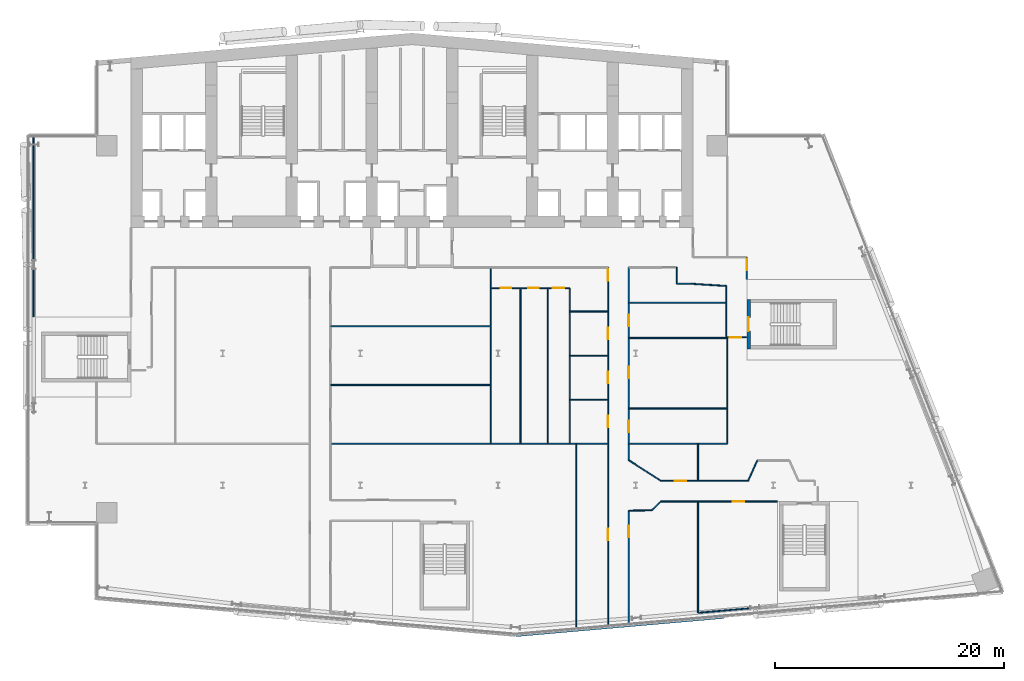
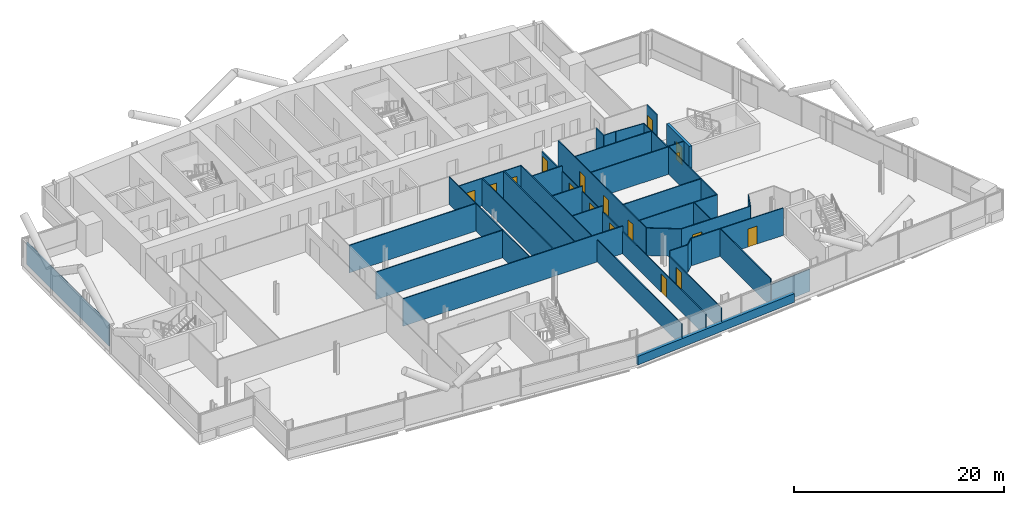
# One storey, part 15 of 27: 38 walls, 17 doors, 17 openings.
"""IFC4 building model written with IfcOpenShell, lengths in metres."""

from ifc_helpers import new_model, si_unit, direction, frame, frame_2d, origin, place, context, subcontext, project, spatial, rectangle, extrude, material, layer, layer_set, type_object, element, fill, save


model = new_model("IFC4")

# Units and contexts
model_context = context("Model", 3, precision=1e-05, world=origin(), true_north=direction((0.0, 1.0)))
body_context = subcontext(model_context, "Body", "Model", "MODEL_VIEW")
ifc_project = project(units=[si_unit("LENGTHUNIT", "METRE"), si_unit("AREAUNIT", "SQUARE_METRE"), si_unit("VOLUMEUNIT", "CUBIC_METRE"), si_unit("PLANEANGLEUNIT", "RADIAN"), si_unit("MASSUNIT", "GRAM", prefix="KILO")], contexts=[model_context])

# Site, building, storey
site_placement = place(None, origin())
site = spatial("IfcSite", under=ifc_project, at=site_placement, CompositionType="ELEMENT")
building_placement = place(site_placement, origin())
building = spatial("IfcBuilding", under=site, at=building_placement, Name="Wharfspan Tower", CompositionType="ELEMENT")
storey_placement = place(building_placement, frame((0.0, 0.0, 118.300049)))
storey = spatial("IfcBuildingStorey", under=building, at=storey_placement, Name="L27", CompositionType="ELEMENT", Elevation=118.300049)

# Walls
ifc_material_1 = material(Name="Gypsum board on steel studs", Category="steel")
ifc_layer_1 = layer(ifc_material_1, 0.100098)
ifc_layer_set_1 = layer_set([ifc_layer_1], Name="Gypsum board on steel studs")
wall_type_1 = type_object("IfcWallType", Name="Compartment wall 100 EI 60", PredefinedType="PARTITIONING", material=ifc_layer_set_1)
wall_1_placement = place(storey_placement, frame((33.399902, 15.129883, 0.0), z_axis=(0.0, 0.0, 1.0), x_axis=(1.0, 0.0, 0.0)))
element("IfcWall", 1, at=wall_1_placement, inside=storey, type_object=wall_type_1, Name="Partition L27.w017", PredefinedType="PARTITIONING", context=body_context, shape_type="SweptSolid", body=[
    extrude(rectangle(XDim=24.200195, YDim=0.100098, at=frame_2d((12.100098, 0.0))), origin(), (0.0, 0.0, 1.0), 3.199951),
])
for number, where, z_axis, x_axis, name in (
    (2, (33.399902, 20.254883, 0.0), (0.0, 0.0, 1.0), (1.0, 0.0, 0.0), "Partition L27.w018"),
    (3, (33.399902, 25.375, 0.0), (0.0, 0.0, 1.0), (1.0, 0.0, 0.0), "Partition L27.w019"),
):
    element("IfcWall", number, at=place(storey_placement, frame(where, z_axis=z_axis, x_axis=x_axis)), inside=storey, type_object=wall_type_1, Name=name, PredefinedType="PARTITIONING", context=body_context, shape_type="SweptSolid", body=[
        extrude(rectangle(XDim=13.975098, YDim=0.100098, at=frame_2d((6.987549, 0.0))), origin(), (0.0, 0.0, 1.0), 3.199951),
    ])
wall_2_placement = place(storey_placement, frame((47.375, 15.129883, 0.0), z_axis=(0.0, 0.0, 1.0), x_axis=(0.0, 1.0, 0.0)))
element("IfcWall", 4, at=wall_2_placement, inside=storey, type_object=wall_type_1, Name="Partition L27.w024", PredefinedType="PARTITIONING", context=body_context, shape_type="SweptSolid", body=[
    extrude(rectangle(XDim=15.360107, YDim=0.100098, at=frame_2d((7.680176, 0.0))), origin(), (0.0, 0.0, 1.0), 3.199951),
])
for number, where, z_axis, x_axis, name in (
    (5, (54.25, 18.975098, 0.0), (0.0, 0.0, 1.0), (1.0, 0.0, 0.0), "Partition L27.w029"),
    (6, (54.25, 22.814941, 0.0), (0.0, 0.0, 1.0), (1.0, 0.0, 0.0), "Partition L27.w030"),
    (7, (54.25, 26.659912, 0.0), (0.0, 0.0, 1.0), (1.0, 0.0, 0.0), "Partition L27.w031"),
):
    element("IfcWall", number, at=place(storey_placement, frame(where, z_axis=z_axis, x_axis=x_axis)), inside=storey, type_object=wall_type_1, Name=name, PredefinedType="PARTITIONING", context=body_context, shape_type="SweptSolid", body=[
        extrude(rectangle(XDim=3.350098, YDim=0.100098, at=frame_2d((1.675049, 0.0))), origin(), (0.0, 0.0, 1.0), 3.199951),
    ])

# Wall, openings, doors
wall_3_placement = place(storey_placement, frame((57.600098, -0.789551, 0.0), z_axis=(0.0, 0.0, 1.0), x_axis=(0.0, 1.0, 0.0)))
wall_3 = element("IfcWall", 8, at=wall_3_placement, inside=storey, type_object=wall_type_1, Name="Partition L27.w033", PredefinedType="PARTITIONING", context=body_context, shape_type="SweptSolid", body=[
    extrude(rectangle(XDim=31.289551, YDim=0.100098, at=frame_2d((15.644775, 0.0))), origin(), (0.0, 0.0, 1.0), 2.579834),
])
opening_1_placement = place(wall_3_placement, frame((7.499512, 0.0, 0.0)))
opening_1 = element("IfcOpeningElement", 9, at=opening_1_placement, cuts=wall_3, Name="Opening B3-02", PredefinedType="OPENING", context=body_context, shape_type="SweptSolid", body=[
    extrude(rectangle(XDim=1.0, YDim=2.100098, at=frame_2d((0.5, 1.050049))), frame((0.0, 0.060059, 0.0), z_axis=(0.0, -1.0, 0.0), x_axis=(1.0, 0.0, 0.0)), (0.0, 0.0, 1.0), 0.120117),
])
opening_2_placement = place(wall_3_placement, frame((17.344482, 0.0, 0.0)))
opening_2 = element("IfcOpeningElement", 10, at=opening_2_placement, cuts=wall_3, Name="Opening B3-09", PredefinedType="OPENING", context=body_context, shape_type="SweptSolid", body=[
    extrude(rectangle(XDim=1.0, YDim=2.100098, at=frame_2d((0.5, 1.050049))), frame((0.0, 0.060059, 0.0), z_axis=(0.0, -1.0, 0.0), x_axis=(1.0, 0.0, 0.0)), (0.0, 0.0, 1.0), 0.120117),
])
opening_3_placement = place(wall_3_placement, frame((21.18457, 0.0, 0.0)))
opening_3 = element("IfcOpeningElement", 11, at=opening_3_placement, cuts=wall_3, Name="Opening B3-11", PredefinedType="OPENING", context=body_context, shape_type="SweptSolid", body=[
    extrude(rectangle(XDim=1.0, YDim=2.100098, at=frame_2d((0.5, 1.050049))), frame((0.0, 0.060059, 0.0), z_axis=(0.0, -1.0, 0.0), x_axis=(1.0, 0.0, 0.0)), (0.0, 0.0, 1.0), 0.120117),
])
opening_4_placement = place(wall_3_placement, frame((25.029541, 0.0, 0.0)))
opening_4 = element("IfcOpeningElement", 12, at=opening_4_placement, cuts=wall_3, Name="Opening B3-15", PredefinedType="OPENING", context=body_context, shape_type="SweptSolid", body=[
    extrude(rectangle(XDim=1.0, YDim=2.100098, at=frame_2d((0.5, 1.050049))), frame((0.0, 0.060059, 0.0), z_axis=(0.0, -1.0, 0.0), x_axis=(1.0, 0.0, 0.0)), (0.0, 0.0, 1.0), 0.120117),
])
opening_5_placement = place(wall_3_placement, frame((30.139404, 0.0, 0.0)))
opening_5 = element("IfcOpeningElement", 13, at=opening_5_placement, cuts=wall_3, Name="Opening B3-24", PredefinedType="OPENING", context=body_context, shape_type="SweptSolid", body=[
    extrude(rectangle(XDim=1.0, YDim=2.100098, at=frame_2d((0.5, 1.050049))), frame((0.0, 0.060059, 0.0), z_axis=(0.0, -1.0, 0.0), x_axis=(1.0, 0.0, 0.0)), (0.0, 0.0, 1.0), 0.120117),
])
ifc_material_2 = material(Name="Fire-rated timber door leaf in steel frame", Category="steel")
door_type_1 = type_object("IfcDoorType", Name="Door 1000 FD30S Left", OperationType="SINGLE_SWING_LEFT", PredefinedType="DOOR", material=ifc_material_2)
door_1_placement = place(opening_1_placement, origin())
door_1 = element("IfcDoor", 14, at=door_1_placement, inside=storey, type_object=door_type_1, Name="Door B3-02", OperationType="SINGLE_SWING_LEFT", OverallHeight=2.100098, OverallWidth=1.0, PredefinedType="DOOR", context=body_context, shape_type="SweptSolid", body=[
    extrude(rectangle(XDim=1.0, YDim=2.100098, at=frame_2d((0.5, 1.050049))), frame((0.0, 0.024902, 0.0), z_axis=(0.0, -1.0, 0.0), x_axis=(1.0, 0.0, 0.0)), (0.0, 0.0, 1.0), 0.050049),
])
fill(opening_1, door_1)
door_type_2 = type_object("IfcDoorType", Name="Door 1000 FD30S Right", OperationType="SINGLE_SWING_RIGHT", PredefinedType="DOOR", material=ifc_material_2)
door_2_placement = place(opening_2_placement, origin())
door_2 = element("IfcDoor", 15, at=door_2_placement, inside=storey, type_object=door_type_2, Name="Door B3-09", OperationType="SINGLE_SWING_RIGHT", OverallHeight=2.100098, OverallWidth=1.0, PredefinedType="DOOR", context=body_context, shape_type="SweptSolid", body=[
    extrude(rectangle(XDim=1.0, YDim=2.100098, at=frame_2d((0.5, 1.050049))), frame((0.0, 0.024902, 0.0), z_axis=(0.0, -1.0, 0.0), x_axis=(1.0, 0.0, 0.0)), (0.0, 0.0, 1.0), 0.050049),
])
fill(opening_2, door_2)
door_3_placement = place(opening_3_placement, origin())
door_3 = element("IfcDoor", 16, at=door_3_placement, inside=storey, type_object=door_type_2, Name="Door B3-11", OperationType="SINGLE_SWING_RIGHT", OverallHeight=2.100098, OverallWidth=1.0, PredefinedType="DOOR", context=body_context, shape_type="SweptSolid", body=[
    extrude(rectangle(XDim=1.0, YDim=2.100098, at=frame_2d((0.5, 1.050049))), frame((0.0, 0.024902, 0.0), z_axis=(0.0, -1.0, 0.0), x_axis=(1.0, 0.0, 0.0)), (0.0, 0.0, 1.0), 0.050049),
])
fill(opening_3, door_3)
door_4_placement = place(opening_4_placement, origin())
door_4 = element("IfcDoor", 17, at=door_4_placement, inside=storey, type_object=door_type_2, Name="Door B3-15", OperationType="SINGLE_SWING_RIGHT", OverallHeight=2.100098, OverallWidth=1.0, PredefinedType="DOOR", context=body_context, shape_type="SweptSolid", body=[
    extrude(rectangle(XDim=1.0, YDim=2.100098, at=frame_2d((0.5, 1.050049))), frame((0.0, 0.024902, 0.0), z_axis=(0.0, -1.0, 0.0), x_axis=(1.0, 0.0, 0.0)), (0.0, 0.0, 1.0), 0.050049),
])
fill(opening_4, door_4)
door_5_placement = place(opening_5_placement, origin())
door_5 = element("IfcDoor", 18, at=door_5_placement, inside=storey, type_object=door_type_2, Name="Door B3-24", OperationType="SINGLE_SWING_RIGHT", OverallHeight=2.100098, OverallWidth=1.0, PredefinedType="DOOR", context=body_context, shape_type="SweptSolid", body=[
    extrude(rectangle(XDim=1.0, YDim=2.100098, at=frame_2d((0.5, 1.050049))), frame((0.0, 0.024902, 0.0), z_axis=(0.0, -1.0, 0.0), x_axis=(1.0, 0.0, 0.0)), (0.0, 0.0, 1.0), 0.050049),
])
fill(opening_5, door_5)

# Wall, opening, door
wall_4_placement = place(storey_placement, frame((59.399902, -0.63208, 0.0), z_axis=(0.0, 0.0, 1.0), x_axis=(0.0, 1.0, 0.0)))
wall_4 = element("IfcWall", 19, at=wall_4_placement, inside=storey, type_object=wall_type_1, Name="Partition L27.w034", PredefinedType="PARTITIONING", context=body_context, shape_type="SweptSolid", body=[
    extrude(rectangle(XDim=9.932129, YDim=0.100098, at=frame_2d((4.966064, 0.0))), origin(), (0.0, 0.0, 1.0), 2.579834),
])
opening_6_placement = place(wall_4_placement, frame((7.601807, 0.0, 0.0)))
opening_6 = element("IfcOpeningElement", 20, at=opening_6_placement, cuts=wall_4, Name="Opening B3-03", PredefinedType="OPENING", context=body_context, shape_type="SweptSolid", body=[
    extrude(rectangle(XDim=1.0, YDim=2.100098, at=frame_2d((0.5, 1.050049))), frame((0.0, 0.060059, 0.0), z_axis=(0.0, -1.0, 0.0), x_axis=(1.0, 0.0, 0.0)), (0.0, 0.0, 1.0), 0.120117),
])
door_6_placement = place(opening_6_placement, origin())
door_6 = element("IfcDoor", 21, at=door_6_placement, inside=storey, type_object=door_type_2, Name="Door B3-03", OperationType="SINGLE_SWING_RIGHT", OverallHeight=2.100098, OverallWidth=1.0, PredefinedType="DOOR", context=body_context, shape_type="SweptSolid", body=[
    extrude(rectangle(XDim=1.0, YDim=2.100098, at=frame_2d((0.5, 1.050049))), frame((0.0, 0.024902, 0.0), z_axis=(0.0, -1.0, 0.0), x_axis=(1.0, 0.0, 0.0)), (0.0, 0.0, 1.0), 0.050049),
])
fill(opening_6, door_6)

# Wall
wall_5_placement = place(storey_placement, frame((59.399902, 9.300049, 0.0), z_axis=(0.0, 0.0, 1.0), x_axis=(0.999918, 0.01245, 0.0)))
element("IfcWall", 22, at=wall_5_placement, inside=storey, type_object=wall_type_1, Name="Partition L27.w035", PredefinedType="PARTITIONING", context=body_context, shape_type="SweptSolid", body=[
    extrude(rectangle(XDim=2.000244, YDim=0.100098, at=frame_2d((1.0, 0.0))), origin(), (0.0, 0.0, 1.0), 3.199951),
])

# Wall, openings, doors
wall_6_placement = place(storey_placement, frame((59.399902, 13.699951, 0.0), z_axis=(0.0, 0.0, 1.0), x_axis=(0.0, 1.0, 0.0)))
wall_6 = element("IfcWall", 23, at=wall_6_placement, inside=storey, type_object=wall_type_1, Name="Partition L27.w036", PredefinedType="PARTITIONING", context=body_context, shape_type="SweptSolid", body=[
    extrude(rectangle(XDim=16.800049, YDim=0.100098, at=frame_2d((8.399902, 0.0))), origin(), (0.0, 0.0, 1.0), 3.199951),
])
opening_7_placement = place(wall_6_placement, frame((2.449951, 0.0, 0.0)))
opening_7 = element("IfcOpeningElement", 24, at=opening_7_placement, cuts=wall_6, Name="Opening B3-08", PredefinedType="OPENING", context=body_context, shape_type="SweptSolid", body=[
    extrude(rectangle(XDim=1.0, YDim=2.100098, at=frame_2d((0.5, 1.050049))), frame((0.0, 0.060059, 0.0), z_axis=(0.0, -1.0, 0.0), x_axis=(1.0, 0.0, 0.0)), (0.0, 0.0, 1.0), 0.120117),
])
opening_8_placement = place(wall_6_placement, frame((7.125, 0.0, 0.0)))
opening_8 = element("IfcOpeningElement", 25, at=opening_8_placement, cuts=wall_6, Name="Opening B3-12", PredefinedType="OPENING", context=body_context, shape_type="SweptSolid", body=[
    extrude(rectangle(XDim=1.0, YDim=2.100098, at=frame_2d((0.5, 1.050049))), frame((0.0, 0.060059, 0.0), z_axis=(0.0, -1.0, 0.0), x_axis=(1.0, 0.0, 0.0)), (0.0, 0.0, 1.0), 0.120117),
])
opening_9_placement = place(wall_6_placement, frame((11.675049, 0.0, 0.0)))
opening_9 = element("IfcOpeningElement", 26, at=opening_9_placement, cuts=wall_6, Name="Opening B3-16", PredefinedType="OPENING", context=body_context, shape_type="SweptSolid", body=[
    extrude(rectangle(XDim=1.0, YDim=2.100098, at=frame_2d((0.5, 1.050049))), frame((0.0, 0.060059, 0.0), z_axis=(0.0, -1.0, 0.0), x_axis=(1.0, 0.0, 0.0)), (0.0, 0.0, 1.0), 0.120117),
])
door_7_placement = place(opening_7_placement, origin())
door_7 = element("IfcDoor", 27, at=door_7_placement, inside=storey, type_object=door_type_1, Name="Door B3-08", OperationType="SINGLE_SWING_LEFT", OverallHeight=2.100098, OverallWidth=1.0, PredefinedType="DOOR", context=body_context, shape_type="SweptSolid", body=[
    extrude(rectangle(XDim=1.0, YDim=2.100098, at=frame_2d((0.5, 1.050049))), frame((0.0, 0.024902, 0.0), z_axis=(0.0, -1.0, 0.0), x_axis=(1.0, 0.0, 0.0)), (0.0, 0.0, 1.0), 0.050049),
])
fill(opening_7, door_7)
door_8_placement = place(opening_8_placement, origin())
door_8 = element("IfcDoor", 28, at=door_8_placement, inside=storey, type_object=door_type_1, Name="Door B3-12", OperationType="SINGLE_SWING_LEFT", OverallHeight=2.100098, OverallWidth=1.0, PredefinedType="DOOR", context=body_context, shape_type="SweptSolid", body=[
    extrude(rectangle(XDim=1.0, YDim=2.100098, at=frame_2d((0.5, 1.050049))), frame((0.0, 0.024902, 0.0), z_axis=(0.0, -1.0, 0.0), x_axis=(1.0, 0.0, 0.0)), (0.0, 0.0, 1.0), 0.050049),
])
fill(opening_8, door_8)
door_9_placement = place(opening_9_placement, origin())
door_9 = element("IfcDoor", 29, at=door_9_placement, inside=storey, type_object=door_type_2, Name="Door B3-16", OperationType="SINGLE_SWING_RIGHT", OverallHeight=2.100098, OverallWidth=1.0, PredefinedType="DOOR", context=body_context, shape_type="SweptSolid", body=[
    extrude(rectangle(XDim=1.0, YDim=2.100098, at=frame_2d((0.5, 1.050049))), frame((0.0, 0.024902, 0.0), z_axis=(0.0, -1.0, 0.0), x_axis=(1.0, 0.0, 0.0)), (0.0, 0.0, 1.0), 0.050049),
])
fill(opening_9, door_9)

# Walls
for number, where, z_axis, x_axis, name in (
    (30, (59.399902, 15.129883, 0.0), (0.0, 0.0, 1.0), (1.0, 0.0, 0.0), "Partition L27.w037"),
    (31, (59.399902, 18.205078, 0.0), (0.0, 0.0, 1.0), (1.0, 0.0, 0.0), "Partition L27.w038"),
    (32, (59.399902, 24.35498, 0.0), (0.0, 0.0, 1.0), (1.0, 0.0, 0.0), "Partition L27.w039"),
):
    element("IfcWall", number, at=place(storey_placement, frame(where, z_axis=z_axis, x_axis=x_axis)), inside=storey, type_object=wall_type_1, Name=name, PredefinedType="PARTITIONING", context=body_context, shape_type="SweptSolid", body=[
        extrude(rectangle(XDim=8.600098, YDim=0.100098, at=frame_2d((4.300049, 0.0))), origin(), (0.0, 0.0, 1.0), 3.199951),
    ])
wall_7_placement = place(storey_placement, frame((59.399902, 27.425049, 0.0), z_axis=(0.0, 0.0, 1.0), x_axis=(1.0, 0.0, 0.0)))
element("IfcWall", 33, at=wall_7_placement, inside=storey, type_object=wall_type_1, Name="Partition L27.w040", PredefinedType="PARTITIONING", context=body_context, shape_type="SweptSolid", body=[
    extrude(rectangle(XDim=8.48999, YDim=0.100098, at=frame_2d((4.245117, 0.0))), origin(), (0.0, 0.0, 1.0), 3.199951),
])
wall_8_placement = place(storey_placement, frame((61.399902, 9.324951, 0.0), z_axis=(0.0, 0.0, 1.0), x_axis=(0.720495, 0.693452, 0.0)))
element("IfcWall", 34, at=wall_8_placement, inside=storey, type_object=wall_type_1, Name="Partition L27.w042", PredefinedType="PARTITIONING", context=body_context, shape_type="SweptSolid", body=[
    extrude(rectangle(XDim=1.110352, YDim=0.100098, at=frame_2d((0.555176, 0.0))), origin(), (0.0, 0.0, 1.0), 3.199951),
])

# Wall, opening, door
wall_9_placement = place(storey_placement, frame((62.199951, 10.094971, 0.0), z_axis=(0.0, 0.0, 1.0), x_axis=(1.0, 0.0, 0.0)))
wall_9 = element("IfcWall", 35, at=wall_9_placement, inside=storey, type_object=wall_type_1, Name="Partition L27.w043", PredefinedType="PARTITIONING", context=body_context, shape_type="SweptSolid", body=[
    extrude(rectangle(XDim=10.145996, YDim=0.100098, at=frame_2d((5.072998, 0.0))), origin(), (0.0, 0.0, 1.0), 3.199951),
])
opening_10_placement = place(wall_9_placement, frame((6.26001, 0.0, 0.0)))
opening_10 = element("IfcOpeningElement", 36, at=opening_10_placement, cuts=wall_9, Name="Opening B3-05", PredefinedType="OPENING", context=body_context, shape_type="SweptSolid", body=[
    extrude(rectangle(XDim=1.0, YDim=2.100098, at=frame_2d((0.5, 1.050049))), frame((0.0, 0.060059, 0.0), z_axis=(0.0, -1.0, 0.0), x_axis=(1.0, 0.0, 0.0)), (0.0, 0.0, 1.0), 0.120117),
])
door_10_placement = place(opening_10_placement, origin())
door_10 = element("IfcDoor", 37, at=door_10_placement, inside=storey, type_object=door_type_2, Name="Door B3-05", OperationType="SINGLE_SWING_RIGHT", OverallHeight=2.100098, OverallWidth=1.0, PredefinedType="DOOR", context=body_context, shape_type="SweptSolid", body=[
    extrude(rectangle(XDim=1.0, YDim=2.100098, at=frame_2d((0.5, 1.050049))), frame((0.0, 0.024902, 0.0), z_axis=(0.0, -1.0, 0.0), x_axis=(1.0, 0.0, 0.0)), (0.0, 0.0, 1.0), 0.050049),
])
fill(opening_10, door_10)

wall_10_placement = place(storey_placement, frame((62.199951, 11.89502, 0.0), z_axis=(0.0, 0.0, 1.0), x_axis=(1.0, 0.0, 0.0)))
wall_10 = element("IfcWall", 38, at=wall_10_placement, inside=storey, type_object=wall_type_1, Name="Partition L27.w044", PredefinedType="PARTITIONING", context=body_context, shape_type="SweptSolid", body=[
    extrude(rectangle(XDim=7.600098, YDim=0.100098, at=frame_2d((3.800049, 0.0))), origin(), (0.0, 0.0, 1.0), 3.199951),
])
opening_11_placement = place(wall_10_placement, frame((1.219971, 0.0, 0.0)))
opening_11 = element("IfcOpeningElement", 39, at=opening_11_placement, cuts=wall_10, Name="Opening B3-07", PredefinedType="OPENING", context=body_context, shape_type="SweptSolid", body=[
    extrude(rectangle(XDim=1.0, YDim=2.100098, at=frame_2d((0.5, 1.050049))), frame((0.0, 0.060059, 0.0), z_axis=(0.0, -1.0, 0.0), x_axis=(1.0, 0.0, 0.0)), (0.0, 0.0, 1.0), 0.120117),
])
door_11_placement = place(opening_11_placement, origin())
door_11 = element("IfcDoor", 40, at=door_11_placement, inside=storey, type_object=door_type_1, Name="Door B3-07", OperationType="SINGLE_SWING_LEFT", OverallHeight=2.100098, OverallWidth=1.0, PredefinedType="DOOR", context=body_context, shape_type="SweptSolid", body=[
    extrude(rectangle(XDim=1.0, YDim=2.100098, at=frame_2d((0.5, 1.050049))), frame((0.0, 0.024902, 0.0), z_axis=(0.0, -1.0, 0.0), x_axis=(1.0, 0.0, 0.0)), (0.0, 0.0, 1.0), 0.050049),
])
fill(opening_11, door_11)

# Walls
wall_11_placement = place(storey_placement, frame((62.199951, 11.89502, 0.0), z_axis=(0.0, 0.0, 1.0), x_axis=(-0.840512, 0.5418, 0.0)))
element("IfcWall", 41, at=wall_11_placement, inside=storey, type_object=wall_type_1, Name="Partition L27.w045", PredefinedType="PARTITIONING", context=body_context, shape_type="SweptSolid", body=[
    extrude(rectangle(XDim=3.331299, YDim=0.100098, at=frame_2d((1.665527, 0.0))), origin(), (0.0, 0.0, 1.0), 3.199951),
])
wall_12_placement = place(storey_placement, frame((63.574951, 29.074951, 0.0), z_axis=(0.0, 0.0, 1.0), x_axis=(0.0, 1.0, 0.0)))
element("IfcWall", 42, at=wall_12_placement, inside=storey, type_object=wall_type_1, Name="Partition L27.w046", PredefinedType="PARTITIONING", context=body_context, shape_type="SweptSolid", body=[
    extrude(rectangle(XDim=1.425049, YDim=0.100098, at=frame_2d((0.712402, 0.0))), origin(), (0.0, 0.0, 1.0), 3.199951),
])
wall_13_placement = place(storey_placement, frame((63.574951, 29.074951, 0.0), z_axis=(0.0, 0.0, 1.0), x_axis=(1.0, 0.0, 0.0)))
element("IfcWall", 43, at=wall_13_placement, inside=storey, type_object=wall_type_1, Name="Partition L27.w047", PredefinedType="PARTITIONING", context=body_context, shape_type="SweptSolid", body=[
    extrude(rectangle(XDim=1.285156, YDim=0.100098, at=frame_2d((0.642578, 0.0))), origin(), (0.0, 0.0, 1.0), 3.199951),
])
wall_14_placement = place(storey_placement, frame((65.439941, 0.389893, 0.0), z_axis=(0.0, 0.0, 1.0), x_axis=(0.0, 1.0, 0.0)))
element("IfcWall", 44, at=wall_14_placement, inside=storey, type_object=wall_type_1, Name="Partition L27.w051", PredefinedType="PARTITIONING", context=body_context, shape_type="SweptSolid", body=[
    extrude(rectangle(XDim=9.705078, YDim=0.100098, at=frame_2d((4.852539, 0.0))), origin(), (0.0, 0.0, 1.0), 3.199951),
])
wall_15_placement = place(storey_placement, frame((65.439941, 11.89502, 0.0), z_axis=(0.0, 0.0, 1.0), x_axis=(0.0, 1.0, 0.0)))
element("IfcWall", 45, at=wall_15_placement, inside=storey, type_object=wall_type_1, Name="Partition L27.w052", PredefinedType="PARTITIONING", context=body_context, shape_type="SweptSolid", body=[
    extrude(rectangle(XDim=3.234863, YDim=0.100098, at=frame_2d((1.617432, 0.0))), origin(), (0.0, 0.0, 1.0), 3.199951),
])
wall_16_placement = place(storey_placement, frame((67.889893, 24.399902, 0.0), z_axis=(0.0, 0.0, 1.0), x_axis=(0.0, 1.0, 0.0)))
element("IfcWall", 46, at=wall_16_placement, inside=storey, type_object=wall_type_1, Name="Partition L27.w053", PredefinedType="PARTITIONING", context=body_context, shape_type="SweptSolid", body=[
    extrude(rectangle(XDim=4.485107, YDim=0.100098, at=frame_2d((2.242676, 0.0))), origin(), (0.0, 0.0, 1.0), 3.199951),
])

# Wall, opening, door
wall_17_placement = place(storey_placement, frame((68.0, 24.399902, 0.0), z_axis=(0.0, 0.0, 1.0), x_axis=(1.0, 0.0, 0.0)))
wall_17 = element("IfcWall", 47, at=wall_17_placement, inside=storey, type_object=wall_type_1, Name="Partition L27.w054", PredefinedType="PARTITIONING", context=body_context, shape_type="SweptSolid", body=[
    extrude(rectangle(XDim=1.67041, YDim=0.100098, at=frame_2d((0.835205, 0.0))), origin(), (0.0, 0.0, 1.0), 3.199951),
])
opening_12_placement = place(wall_17_placement, frame((0.199951, 0.0, 0.0)))
opening_12 = element("IfcOpeningElement", 48, at=opening_12_placement, cuts=wall_17, Name="Opening B3-14", PredefinedType="OPENING", context=body_context, shape_type="SweptSolid", body=[
    extrude(rectangle(XDim=1.0, YDim=2.100098, at=frame_2d((0.5, 1.050049))), frame((0.0, 0.060059, 0.0), z_axis=(0.0, -1.0, 0.0), x_axis=(1.0, 0.0, 0.0)), (0.0, 0.0, 1.0), 0.120117),
])
door_12_placement = place(opening_12_placement, origin())
door_12 = element("IfcDoor", 49, at=door_12_placement, inside=storey, type_object=door_type_1, Name="Door B3-14", OperationType="SINGLE_SWING_LEFT", OverallHeight=2.100098, OverallWidth=1.0, PredefinedType="DOOR", context=body_context, shape_type="SweptSolid", body=[
    extrude(rectangle(XDim=1.0, YDim=2.100098, at=frame_2d((0.5, 1.050049))), frame((0.0, 0.024902, 0.0), z_axis=(0.0, -1.0, 0.0), x_axis=(1.0, 0.0, 0.0)), (0.0, 0.0, 1.0), 0.050049),
])
fill(opening_12, door_12)

# Walls
wall_18_placement = place(storey_placement, frame((67.889893, 28.88501, 0.0), z_axis=(0.0, 0.0, 1.0), x_axis=(-0.998031, 0.062786, 0.0)))
element("IfcWall", 50, at=wall_18_placement, inside=storey, type_object=wall_type_1, Name="Partition L27.w055", PredefinedType="PARTITIONING", context=body_context, shape_type="SweptSolid", body=[
    extrude(rectangle(XDim=3.02124, YDim=0.100098, at=frame_2d((1.510742, 0.0))), origin(), (0.0, 0.0, 1.0), 3.199951),
])
wall_19_placement = place(storey_placement, frame((68.0, 15.129883, 0.0), z_axis=(0.0, 0.0, 1.0), x_axis=(0.0, 1.0, 0.0)))
element("IfcWall", 51, at=wall_19_placement, inside=storey, type_object=wall_type_1, Name="Partition L27.w056", PredefinedType="PARTITIONING", context=body_context, shape_type="SweptSolid", body=[
    extrude(rectangle(XDim=9.220215, YDim=0.100098, at=frame_2d((4.610107, 0.0))), origin(), (0.0, 0.0, 1.0), 3.199951),
])

# Wall, opening, door
wall_20_placement = place(storey_placement, frame((69.689941, 29.469971, 0.0), z_axis=(0.0, 0.0, 1.0), x_axis=(0.0, 1.0, 0.0)))
wall_20 = element("IfcWall", 52, at=wall_20_placement, inside=storey, type_object=wall_type_1, Name="Partition L27.w058", PredefinedType="PARTITIONING", context=body_context, shape_type="SweptSolid", body=[
    extrude(rectangle(XDim=1.929932, YDim=0.100098, at=frame_2d((0.964844, 0.0))), origin(), (0.0, 0.0, 1.0), 3.199951),
])
opening_13_placement = place(wall_20_placement, frame((0.800049, 0.0, 0.0)))
opening_13 = element("IfcOpeningElement", 53, at=opening_13_placement, cuts=wall_20, Name="Opening B3-26", PredefinedType="OPENING", context=body_context, shape_type="SweptSolid", body=[
    extrude(rectangle(XDim=1.0, YDim=2.100098, at=frame_2d((0.5, 1.050049))), frame((0.0, 0.060059, 0.0), z_axis=(0.0, -1.0, 0.0), x_axis=(1.0, 0.0, 0.0)), (0.0, 0.0, 1.0), 0.120117),
])
door_13_placement = place(opening_13_placement, origin())
door_13 = element("IfcDoor", 54, at=door_13_placement, inside=storey, type_object=door_type_2, Name="Door B3-26", OperationType="SINGLE_SWING_RIGHT", OverallHeight=2.100098, OverallWidth=1.0, PredefinedType="DOOR", context=body_context, shape_type="SweptSolid", body=[
    extrude(rectangle(XDim=1.0, YDim=2.100098, at=frame_2d((0.5, 1.050049))), frame((0.0, 0.024902, 0.0), z_axis=(0.0, -1.0, 0.0), x_axis=(1.0, 0.0, 0.0)), (0.0, 0.0, 1.0), 0.050049),
])
fill(opening_13, door_13)

# Walls
wall_21_placement = place(storey_placement, frame((69.800049, 11.89502, 0.0), z_axis=(0.0, 0.0, 1.0), x_axis=(0.409954, 0.912107, 0.0)))
element("IfcWall", 55, at=wall_21_placement, inside=storey, type_object=wall_type_1, Name="Partition L27.w059", PredefinedType="PARTITIONING", context=body_context, shape_type="SweptSolid", body=[
    extrude(rectangle(XDim=1.95166, YDim=0.100098, at=frame_2d((0.97583, 0.0))), origin(), (0.0, 0.0, 1.0), 3.199951),
])
ifc_layer_2 = layer(ifc_material_1, 0.100098)
ifc_layer_set_2 = layer_set([ifc_layer_2], Name="Gypsum board on steel studs")
wall_type_2 = type_object("IfcWallType", Name="Partition 100", PredefinedType="PARTITIONING", material=ifc_layer_set_2)
wall_22_placement = place(storey_placement, frame((7.51001, 26.219971, 0.0), z_axis=(0.0, 0.0, 1.0), x_axis=(0.0, 1.0, 0.0)))
element("IfcWall", 56, at=wall_22_placement, inside=storey, type_object=wall_type_2, Name="Partition L27.w002", PredefinedType="PARTITIONING", context=body_context, shape_type="SweptSolid", body=[
    extrude(rectangle(XDim=15.76001, YDim=0.100098, at=frame_2d((7.879883, 0.0))), origin(), (0.0, 0.0, 1.0), 2.579834),
])

# Wall, openings, doors
wall_23_placement = place(storey_placement, frame((47.375, 28.699951, 0.0), z_axis=(0.0, 0.0, 1.0), x_axis=(1.0, 0.0, 0.0)))
wall_23 = element("IfcWall", 57, at=wall_23_placement, inside=storey, type_object=wall_type_2, Name="Partition L27.w025", PredefinedType="PARTITIONING", context=body_context, shape_type="SweptSolid", body=[
    extrude(rectangle(XDim=6.875, YDim=0.100098, at=frame_2d((3.4375, 0.0))), origin(), (0.0, 0.0, 1.0), 3.199951),
])
opening_14_placement = place(wall_23_placement, frame((0.870117, 0.0, 0.0)))
opening_14 = element("IfcOpeningElement", 58, at=opening_14_placement, cuts=wall_23, Name="Opening B3-19", PredefinedType="OPENING", context=body_context, shape_type="SweptSolid", body=[
    extrude(rectangle(XDim=0.899902, YDim=2.100098, at=frame_2d((0.449951, 1.050049))), frame((0.0, 0.060059, 0.0), z_axis=(0.0, -1.0, 0.0), x_axis=(1.0, 0.0, 0.0)), (0.0, 0.0, 1.0), 0.120117),
])
opening_15_placement = place(wall_23_placement, frame((3.26001, 0.0, 0.0)))
opening_15 = element("IfcOpeningElement", 59, at=opening_15_placement, cuts=wall_23, Name="Opening B3-20", PredefinedType="OPENING", context=body_context, shape_type="SweptSolid", body=[
    extrude(rectangle(XDim=0.899902, YDim=2.100098, at=frame_2d((0.449951, 1.050049))), frame((0.0, 0.060059, 0.0), z_axis=(0.0, -1.0, 0.0), x_axis=(1.0, 0.0, 0.0)), (0.0, 0.0, 1.0), 0.120117),
])
opening_16_placement = place(wall_23_placement, frame((5.39502, 0.0, 0.0)))
opening_16 = element("IfcOpeningElement", 60, at=opening_16_placement, cuts=wall_23, Name="Opening B3-21", PredefinedType="OPENING", context=body_context, shape_type="SweptSolid", body=[
    extrude(rectangle(XDim=1.0, YDim=2.100098, at=frame_2d((0.5, 1.050049))), frame((0.0, 0.060059, 0.0), z_axis=(0.0, -1.0, 0.0), x_axis=(1.0, 0.0, 0.0)), (0.0, 0.0, 1.0), 0.120117),
])
ifc_material_3 = material(Name="Timber door leaf in steel frame", Category="steel")
door_type_3 = type_object("IfcDoorType", Name="Door 1000 NOT RATED Right", OperationType="SINGLE_SWING_RIGHT", PredefinedType="DOOR", material=ifc_material_3)
door_14_placement = place(opening_16_placement, origin())
door_14 = element("IfcDoor", 61, at=door_14_placement, inside=storey, type_object=door_type_3, Name="Door B3-21", OperationType="SINGLE_SWING_RIGHT", OverallHeight=2.100098, OverallWidth=1.0, PredefinedType="DOOR", context=body_context, shape_type="SweptSolid", body=[
    extrude(rectangle(XDim=1.0, YDim=2.100098, at=frame_2d((0.5, 1.050049))), frame((0.0, 0.024902, 0.0), z_axis=(0.0, -1.0, 0.0), x_axis=(1.0, 0.0, 0.0)), (0.0, 0.0, 1.0), 0.050049),
])
fill(opening_16, door_14)
door_type_4 = type_object("IfcDoorType", Name="Door 900 NOT RATED Left", OperationType="SINGLE_SWING_LEFT", PredefinedType="DOOR", material=ifc_material_3)
door_15_placement = place(opening_14_placement, origin())
door_15 = element("IfcDoor", 62, at=door_15_placement, inside=storey, type_object=door_type_4, Name="Door B3-19", OperationType="SINGLE_SWING_LEFT", OverallHeight=2.100098, OverallWidth=0.899902, PredefinedType="DOOR", context=body_context, shape_type="SweptSolid", body=[
    extrude(rectangle(XDim=0.899902, YDim=2.100098, at=frame_2d((0.449951, 1.050049))), frame((0.0, 0.024902, 0.0), z_axis=(0.0, -1.0, 0.0), x_axis=(1.0, 0.0, 0.0)), (0.0, 0.0, 1.0), 0.050049),
])
fill(opening_14, door_15)
door_type_5 = type_object("IfcDoorType", Name="Door 900 NOT RATED Right", OperationType="SINGLE_SWING_RIGHT", PredefinedType="DOOR", material=ifc_material_3)
door_16_placement = place(opening_15_placement, origin())
door_16 = element("IfcDoor", 63, at=door_16_placement, inside=storey, type_object=door_type_5, Name="Door B3-20", OperationType="SINGLE_SWING_RIGHT", OverallHeight=2.100098, OverallWidth=0.899902, PredefinedType="DOOR", context=body_context, shape_type="SweptSolid", body=[
    extrude(rectangle(XDim=0.899902, YDim=2.100098, at=frame_2d((0.449951, 1.050049))), frame((0.0, 0.024902, 0.0), z_axis=(0.0, -1.0, 0.0), x_axis=(1.0, 0.0, 0.0)), (0.0, 0.0, 1.0), 0.050049),
])
fill(opening_15, door_16)

# Walls
for number, where, z_axis, x_axis, name in (
    (64, (49.965088, 15.129883, 0.0), (0.0, 0.0, 1.0), (0.0, 1.0, 0.0), "Partition L27.w026"),
    (65, (52.350098, 15.129883, 0.0), (0.0, 0.0, 1.0), (0.0, 1.0, 0.0), "Partition L27.w027"),
    (66, (54.25, 15.129883, 0.0), (0.0, 0.0, 1.0), (0.0, 1.0, 0.0), "Partition L27.w028"),
):
    element("IfcWall", number, at=place(storey_placement, frame(where, z_axis=z_axis, x_axis=x_axis)), inside=storey, type_object=wall_type_2, Name=name, PredefinedType="PARTITIONING", context=body_context, shape_type="SweptSolid", body=[
        extrude(rectangle(XDim=13.570068, YDim=0.100098, at=frame_2d((6.785156, 0.0))), origin(), (0.0, 0.0, 1.0), 3.199951),
    ])
wall_24_placement = place(storey_placement, frame((54.810059, -1.033691, 0.0), z_axis=(0.0, 0.0, 1.0), x_axis=(0.0, 1.0, 0.0)))
element("IfcWall", 67, at=wall_24_placement, inside=storey, type_object=wall_type_2, Name="Partition L27.w032", PredefinedType="PARTITIONING", context=body_context, shape_type="SweptSolid", body=[
    extrude(rectangle(XDim=16.163574, YDim=0.100098, at=frame_2d((8.081787, 0.0))), origin(), (0.0, 0.0, 1.0), 2.579834),
])
wall_25_placement = place(storey_placement, frame((65.439941, 0.389893, 0.0), z_axis=(0.0, 0.0, 1.0), x_axis=(0.996214, 0.086949, 0.0)))
element("IfcWall", 68, at=wall_25_placement, inside=storey, type_object=wall_type_2, Name="Partition L27.w050", PredefinedType="PARTITIONING", context=body_context, shape_type="SweptSolid", body=[
    extrude(rectangle(XDim=4.487061, YDim=0.100098, at=frame_2d((2.243652, 0.0))), origin(), (0.0, 0.0, 1.0), 2.579834),
])
ifc_material_4 = material(Name="Concrete C40/50", Category="concrete")
ifc_layer_3 = layer(ifc_material_4, 0.350098)
ifc_layer_set_3 = layer_set([ifc_layer_3], Name="Concrete C40/50")
wall_type_3 = type_object("IfcWallType", Name="SPANDREL EXPOSED CONCRETE 350", PredefinedType="SOLIDWALL", material=ifc_layer_set_3)
wall_26_placement = place(storey_placement, frame((49.54541, -1.519287, 0.0), z_axis=(0.0, 0.0, 1.0), x_axis=(0.996191, 0.087151, 0.0)))
element("IfcWall", 69, at=wall_26_placement, inside=storey, type_object=wall_type_3, Name="Spandrel upstand L27 S2 1", PredefinedType="SOLIDWALL", context=body_context, shape_type="SweptSolid", body=[
    extrude(rectangle(XDim=18.20874, YDim=0.350098, at=frame_2d((9.104492, 0.0))), origin(), (0.0, 0.0, 1.0), 1.0),
])

# Wall, opening, door
ifc_layer_4 = layer(ifc_material_4, 0.300049)
ifc_layer_set_4 = layer_set([ifc_layer_4], Name="Concrete C40/50")
wall_type_4 = type_object("IfcWallType", Name="Stair core wall 300", PredefinedType="SHEAR", material=ifc_layer_set_4)
wall_27_placement = place(storey_placement, frame((69.840332, 23.375, 0.0), z_axis=(0.0, 0.0, 1.0), x_axis=(0.0, 1.0, 0.0)))
wall_27 = element("IfcWall", 70, at=wall_27_placement, inside=storey, type_object=wall_type_4, Name="ST6 stair enclosure wall L27", PredefinedType="SHEAR", context=body_context, shape_type="SweptSolid", body=[
    extrude(rectangle(XDim=4.350098, YDim=0.300049, at=frame_2d((2.175049, 0.0))), origin(), (0.0, 0.0, 1.0), 3.199951),
])
opening_17_placement = place(wall_27_placement, frame((1.574951, 0.0, 0.0)))
opening_17 = element("IfcOpeningElement", 71, at=opening_17_placement, cuts=wall_27, Name="Opening SD6.L27", PredefinedType="OPENING", context=body_context, shape_type="SweptSolid", body=[
    extrude(rectangle(XDim=1.199951, YDim=2.100098, at=frame_2d((0.600098, 1.050049))), frame((0.0, 0.159912, 0.0), z_axis=(0.0, -1.0, 0.0), x_axis=(1.0, 0.0, 0.0)), (0.0, 0.0, 1.0), 0.320068),
])
ifc_material_5 = material(Name="Steel door leaf", Category="steel")
door_type_6 = type_object("IfcDoorType", Name="Stair door 1200x2100", OperationType="SINGLE_SWING_LEFT", PredefinedType="DOOR", material=ifc_material_5)
door_17_placement = place(opening_17_placement, origin())
door_17 = element("IfcDoor", 72, at=door_17_placement, inside=storey, type_object=door_type_6, Name="sd:L27:ST6z2", OperationType="SINGLE_SWING_RIGHT", OverallHeight=2.100098, OverallWidth=1.199951, PredefinedType="DOOR", context=body_context, shape_type="SweptSolid", body=[
    extrude(rectangle(XDim=1.199951, YDim=2.100098, at=frame_2d((0.600098, 1.050049))), frame((0.0, 0.024902, 0.0), z_axis=(0.0, -1.0, 0.0), x_axis=(1.0, 0.0, 0.0)), (0.0, 0.0, 1.0), 0.050049),
])
fill(opening_17, door_17)

save(model, "model.ifc")
